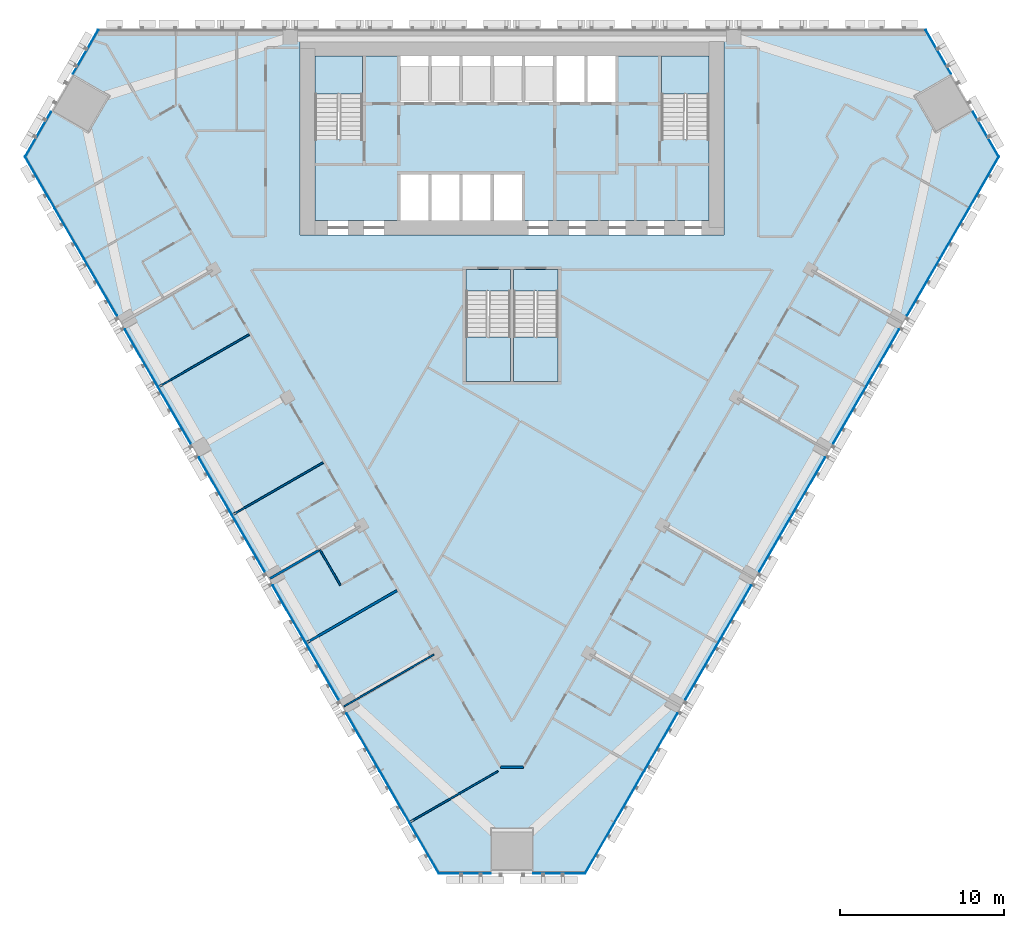
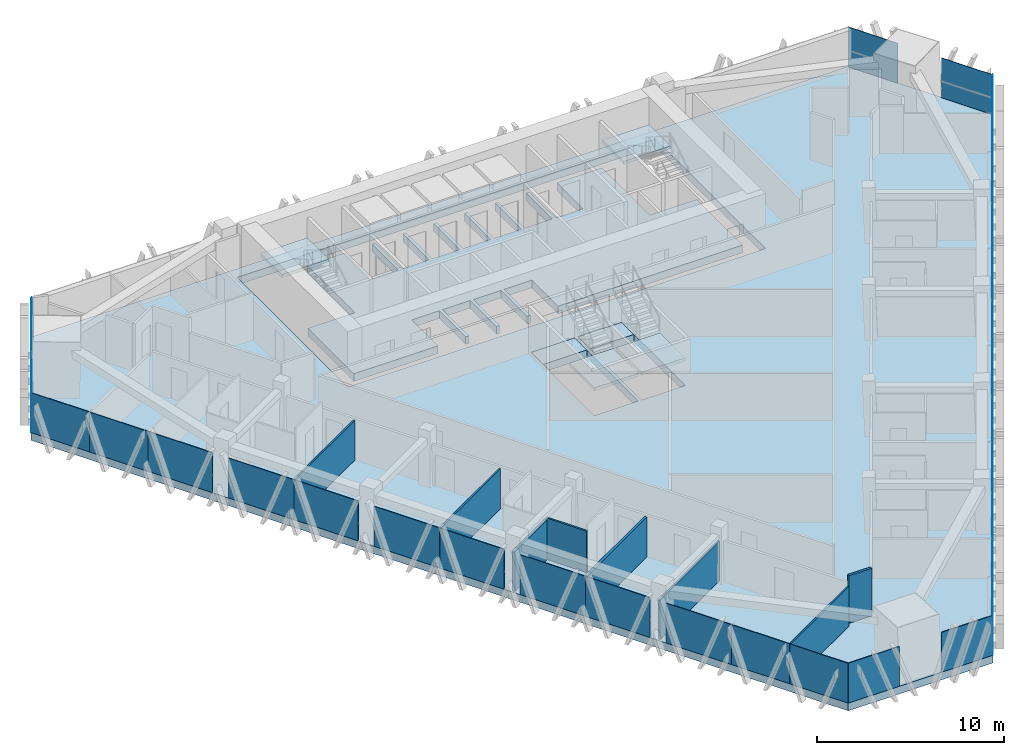
# One storey, part 8 of 16: 30 plates, 8 slabs, 8 walls, 9 elements without a shape of their own.
"""IFC4 building model written with IfcOpenShell, lengths in metres."""

from ifc_helpers import new_model, si_unit, direction, frame, frame_2d, origin, origin_2d, place, context, subcontext, project, spatial, polyline, rectangle, outline, extrude, material, layer, layer_set, type_object, element, aggregate, save


model = new_model("IFC4")

# Units and contexts
model_context = context("Model", 3, precision=1e-05, world=origin(), true_north=direction((0.0, 1.0)))
body_context = subcontext(model_context, "Body", "Model", "MODEL_VIEW")
ifc_project = project(units=[si_unit("LENGTHUNIT", "METRE"), si_unit("AREAUNIT", "SQUARE_METRE"), si_unit("VOLUMEUNIT", "CUBIC_METRE"), si_unit("PLANEANGLEUNIT", "RADIAN"), si_unit("MASSUNIT", "GRAM", prefix="KILO")], contexts=[model_context])

# Site, building, storey
site_placement = place(None, origin())
site = spatial("IfcSite", under=ifc_project, at=site_placement, CompositionType="ELEMENT")
building_placement = place(site_placement, origin())
building = spatial("IfcBuilding", under=site, at=building_placement, Name="Altiplano Prism Tower", CompositionType="ELEMENT")
storey_placement = place(building_placement, frame((0.0, 0.0, 77.39990234375)))
storey = spatial("IfcBuildingStorey", under=building, at=storey_placement, Name="L19", CompositionType="ELEMENT", Elevation=77.39990234375)

# Curtain wall, plates
ifc_material_1 = material(Name="Aluminium and glass", Category="aluminium")
ifc_layer_1 = layer(ifc_material_1, 0.280029296875)
ifc_layer_set_1 = layer_set([ifc_layer_1], Name="Aluminium and glass")
curtain_wall_type = type_object("IfcCurtainWallType", Name="CW1 typical co-living unitised curtain wall", PredefinedType="NOTDEFINED", material=ifc_layer_set_1)
curtain_wall_1_placement = place(storey_placement, origin())
curtain_wall_1 = element("IfcCurtainWall", 1, at=curtain_wall_1_placement, inside=storey, type_object=curtain_wall_type, Name="CW1 curtain wall north-west chamfer L19", PredefinedType="NOTDEFINED")
ifc_material_2 = material(Name="Clear glass", Category="glass")
ifc_layer_2 = layer(ifc_material_2, 0.0400390625)
ifc_layer_set_2 = layer_set([ifc_layer_2], Name="Clear glass")
plate_type = type_object("IfcPlateType", Name="CW1 insulated glass unit 40", PredefinedType="CURTAIN_PANEL", material=ifc_layer_set_2)
plate_1_placement = place(storey_placement, frame((59.0361328125, 103.65576171875, 0.0), z_axis=(0.0, 0.0, 1.0), x_axis=(-0.500000018591, -0.866025393051, 0.0)))
plate_1 = element("IfcPlate", 2, at=plate_1_placement, type_object=plate_type, Name="CW1 panel", PredefinedType="CURTAIN_PANEL", context=body_context, shape_type="SweptSolid", body=[
    extrude(rectangle(XDim=3.0712890625, YDim=0.0400390625, at=origin_2d()), origin(), (0.0, 0.0, 1.0), 2.60009765625),
])
plate_2_placement = place(storey_placement, frame((56.135498046875, 98.6318359375, 0.0), z_axis=(0.0, 0.0, 1.0), x_axis=(-0.500000018591, -0.866025393051, 0.0)))
plate_2 = element("IfcPlate", 3, at=plate_2_placement, type_object=plate_type, Name="CW1 panel", PredefinedType="CURTAIN_PANEL", context=body_context, shape_type="SweptSolid", body=[
    extrude(rectangle(XDim=3.151123046875, YDim=0.0400390625, at=origin_2d()), origin(), (0.0, 0.0, 1.0), 2.60009765625),
])
aggregate(curtain_wall_1, [plate_1, plate_2])

curtain_wall_2_placement = place(storey_placement, origin())
curtain_wall_2 = element("IfcCurtainWall", 4, at=curtain_wall_2_placement, inside=storey, type_object=curtain_wall_type, Name="CW1 curtain wall south-west face L19", PredefinedType="NOTDEFINED")
plate_3_placement = place(storey_placement, frame((56.24658203125, 95.7216796875, 0.0), z_axis=(0.0, 0.0, 1.0), x_axis=(0.500000004489, -0.866025401193, 0.0)))
plate_3 = element("IfcPlate", 5, at=plate_3_placement, type_object=plate_type, Name="CW1 panel", PredefinedType="CURTAIN_PANEL", context=body_context, shape_type="SweptSolid", body=[
    extrude(rectangle(XDim=3.595458984375, YDim=0.0400390625, at=origin_2d()), origin(), (0.0, 0.0, 1.0), 2.60009765625),
])
plate_4_placement = place(storey_placement, frame((58.04931640625, 92.599365234375, 0.0), z_axis=(0.0, 0.0, 1.0), x_axis=(0.500000004489, -0.866025401193, 0.0)))
plate_4 = element("IfcPlate", 6, at=plate_4_placement, type_object=plate_type, Name="CW1 panel", PredefinedType="CURTAIN_PANEL", context=body_context, shape_type="SweptSolid", body=[
    extrude(rectangle(XDim=3.595458984375, YDim=0.0400390625, at=origin_2d()), origin(), (0.0, 0.0, 1.0), 2.60009765625),
])
plate_5_placement = place(storey_placement, frame((59.943359375, 89.31884765625, 0.0), z_axis=(0.0, 0.0, 1.0), x_axis=(0.500000004489, -0.866025401193, 0.0)))
plate_5 = element("IfcPlate", 7, at=plate_5_placement, type_object=plate_type, Name="CW1 panel", PredefinedType="CURTAIN_PANEL", context=body_context, shape_type="SweptSolid", body=[
    extrude(rectangle(XDim=3.96044921875, YDim=0.0400390625, at=origin_2d()), origin(), (0.0, 0.0, 1.0), 2.60009765625),
])
plate_6_placement = place(storey_placement, frame((62.438232421875, 84.997314453125, 0.0), z_axis=(0.0, 0.0, 1.0), x_axis=(0.500000004489, -0.866025401193, 0.0)))
plate_6 = element("IfcPlate", 8, at=plate_6_placement, type_object=plate_type, Name="CW1 panel", PredefinedType="CURTAIN_PANEL", context=body_context, shape_type="SweptSolid", body=[
    extrude(rectangle(XDim=4.039306640625, YDim=0.0400390625, at=origin_2d()), origin(), (0.0, 0.0, 1.0), 2.60009765625),
])
plate_7_placement = place(storey_placement, frame((64.443359375, 81.524658203125, 0.0), z_axis=(0.0, 0.0, 1.0), x_axis=(0.500000004489, -0.866025401193, 0.0)))
plate_7 = element("IfcPlate", 9, at=plate_7_placement, type_object=plate_type, Name="CW1 panel", PredefinedType="CURTAIN_PANEL", context=body_context, shape_type="SweptSolid", body=[
    extrude(rectangle(XDim=3.96044921875, YDim=0.0400390625, at=origin_2d()), origin(), (0.0, 0.0, 1.0), 2.60009765625),
])
plate_8_placement = place(storey_placement, frame((66.938232421875, 77.203125, 0.0), z_axis=(0.0, 0.0, 1.0), x_axis=(0.500000004489, -0.866025401193, 0.0)))
plate_8 = element("IfcPlate", 10, at=plate_8_placement, type_object=plate_type, Name="CW1 panel", PredefinedType="CURTAIN_PANEL", context=body_context, shape_type="SweptSolid", body=[
    extrude(rectangle(XDim=4.039306640625, YDim=0.0400390625, at=origin_2d()), origin(), (0.0, 0.0, 1.0), 2.60009765625),
])
plate_9_placement = place(storey_placement, frame((68.943359375, 73.73046875, 0.0), z_axis=(0.0, 0.0, 1.0), x_axis=(0.500000004489, -0.866025401193, 0.0)))
plate_9 = element("IfcPlate", 11, at=plate_9_placement, type_object=plate_type, Name="CW1 panel", PredefinedType="CURTAIN_PANEL", context=body_context, shape_type="SweptSolid", body=[
    extrude(rectangle(XDim=3.96044921875, YDim=0.0400390625, at=origin_2d()), origin(), (0.0, 0.0, 1.0), 2.60009765625),
])
plate_10_placement = place(storey_placement, frame((71.438232421875, 69.408935546875, 0.0), z_axis=(0.0, 0.0, 1.0), x_axis=(0.500000004489, -0.866025401193, 0.0)))
plate_10 = element("IfcPlate", 12, at=plate_10_placement, type_object=plate_type, Name="CW1 panel", PredefinedType="CURTAIN_PANEL", context=body_context, shape_type="SweptSolid", body=[
    extrude(rectangle(XDim=4.039306640625, YDim=0.0400390625, at=origin_2d()), origin(), (0.0, 0.0, 1.0), 2.60009765625),
])
plate_11_placement = place(storey_placement, frame((73.443359375, 65.93603515625, 0.0), z_axis=(0.0, 0.0, 1.0), x_axis=(0.500000004489, -0.866025401193, 0.0)))
plate_11 = element("IfcPlate", 13, at=plate_11_placement, type_object=plate_type, Name="CW1 panel", PredefinedType="CURTAIN_PANEL", context=body_context, shape_type="SweptSolid", body=[
    extrude(rectangle(XDim=3.96044921875, YDim=0.0400390625, at=origin_2d()), origin(), (0.0, 0.0, 1.0), 2.60009765625),
])
plate_12_placement = place(storey_placement, frame((75.938232421875, 61.614501953125, 0.0), z_axis=(0.0, 0.0, 1.0), x_axis=(0.500000004489, -0.866025401193, 0.0)))
plate_12 = element("IfcPlate", 14, at=plate_12_placement, type_object=plate_type, Name="CW1 panel", PredefinedType="CURTAIN_PANEL", context=body_context, shape_type="SweptSolid", body=[
    extrude(rectangle(XDim=4.039306640625, YDim=0.0400390625, at=origin_2d()), origin(), (0.0, 0.0, 1.0), 2.60009765625),
])
plate_13_placement = place(storey_placement, frame((77.85205078125, 58.300048828125, 0.0), z_axis=(0.0, 0.0, 1.0), x_axis=(0.500000004489, -0.866025401193, 0.0)))
plate_13 = element("IfcPlate", 15, at=plate_13_placement, type_object=plate_type, Name="CW1 panel", PredefinedType="CURTAIN_PANEL", context=body_context, shape_type="SweptSolid", body=[
    extrude(rectangle(XDim=3.595458984375, YDim=0.0400390625, at=origin_2d()), origin(), (0.0, 0.0, 1.0), 2.60009765625),
])
plate_14_placement = place(storey_placement, frame((79.65478515625, 55.177490234375, 0.0), z_axis=(0.0, 0.0, 1.0), x_axis=(0.500000004489, -0.866025401193, 0.0)))
plate_14 = element("IfcPlate", 16, at=plate_14_placement, type_object=plate_type, Name="CW1 panel", PredefinedType="CURTAIN_PANEL", context=body_context, shape_type="SweptSolid", body=[
    extrude(rectangle(XDim=3.595458984375, YDim=0.0400390625, at=origin_2d()), origin(), (0.0, 0.0, 1.0), 2.60009765625),
])
aggregate(curtain_wall_2, [plate_3, plate_4, plate_5, plate_6, plate_7, plate_8, plate_9, plate_10, plate_11, plate_12, plate_13, plate_14])

curtain_wall_3_placement = place(storey_placement, origin())
curtain_wall_3 = element("IfcCurtainWall", 17, at=curtain_wall_3_placement, inside=storey, type_object=curtain_wall_type, Name="CW1 curtain wall south chamfer L19", PredefinedType="NOTDEFINED")
plate_15_placement = place(storey_placement, frame((82.119384765625, 53.626220703125, 0.0), z_axis=(0.0, 0.0, 1.0), x_axis=(1.0, 0.0, 0.0)))
plate_15 = element("IfcPlate", 18, at=plate_15_placement, type_object=plate_type, Name="CW1 panel", PredefinedType="CURTAIN_PANEL", context=body_context, shape_type="SweptSolid", body=[
    extrude(rectangle(XDim=3.151123046875, YDim=0.0400390625, at=origin_2d()), origin(), (0.0, 0.0, 1.0), 2.60009765625),
])
plate_16_placement = place(storey_placement, frame((87.880615234375, 53.626220703125, 0.0), z_axis=(0.0, 0.0, 1.0), x_axis=(1.0, 0.0, 0.0)))
plate_16 = element("IfcPlate", 19, at=plate_16_placement, type_object=plate_type, Name="CW1 panel", PredefinedType="CURTAIN_PANEL", context=body_context, shape_type="SweptSolid", body=[
    extrude(rectangle(XDim=3.151123046875, YDim=0.0400390625, at=origin_2d()), origin(), (0.0, 0.0, 1.0), 2.60009765625),
])
aggregate(curtain_wall_3, [plate_15, plate_16])

curtain_wall_4_placement = place(storey_placement, origin())
curtain_wall_4 = element("IfcCurtainWall", 20, at=curtain_wall_4_placement, inside=storey, type_object=curtain_wall_type, Name="CW1 curtain wall south-east face L19", PredefinedType="NOTDEFINED")
plate_17_placement = place(storey_placement, frame((90.34521484375, 55.177490234375, 0.0), z_axis=(0.0, 0.0, 1.0), x_axis=(0.500000004489, 0.866025401193, 0.0)))
plate_17 = element("IfcPlate", 21, at=plate_17_placement, type_object=plate_type, Name="CW1 panel", PredefinedType="CURTAIN_PANEL", context=body_context, shape_type="SweptSolid", body=[
    extrude(rectangle(XDim=3.595458984375, YDim=0.0400390625, at=origin_2d()), origin(), (0.0, 0.0, 1.0), 2.60009765625),
])
plate_18_placement = place(storey_placement, frame((92.14794921875, 58.300048828125, 0.0), z_axis=(0.0, 0.0, 1.0), x_axis=(0.500000004489, 0.866025401193, 0.0)))
plate_18 = element("IfcPlate", 22, at=plate_18_placement, type_object=plate_type, Name="CW1 panel", PredefinedType="CURTAIN_PANEL", context=body_context, shape_type="SweptSolid", body=[
    extrude(rectangle(XDim=3.595458984375, YDim=0.0400390625, at=origin_2d()), origin(), (0.0, 0.0, 1.0), 2.60009765625),
])
plate_19_placement = place(storey_placement, frame((94.061767578125, 61.614501953125, 0.0), z_axis=(0.0, 0.0, 1.0), x_axis=(0.500000004489, 0.866025401193, 0.0)))
plate_19 = element("IfcPlate", 23, at=plate_19_placement, type_object=plate_type, Name="CW1 panel", PredefinedType="CURTAIN_PANEL", context=body_context, shape_type="SweptSolid", body=[
    extrude(rectangle(XDim=4.039306640625, YDim=0.0400390625, at=origin_2d()), origin(), (0.0, 0.0, 1.0), 2.60009765625),
])
plate_20_placement = place(storey_placement, frame((96.556640625, 65.93603515625, 0.0), z_axis=(0.0, 0.0, 1.0), x_axis=(0.500000004489, 0.866025401193, 0.0)))
plate_20 = element("IfcPlate", 24, at=plate_20_placement, type_object=plate_type, Name="CW1 panel", PredefinedType="CURTAIN_PANEL", context=body_context, shape_type="SweptSolid", body=[
    extrude(rectangle(XDim=3.96044921875, YDim=0.0400390625, at=origin_2d()), origin(), (0.0, 0.0, 1.0), 2.60009765625),
])
plate_21_placement = place(storey_placement, frame((98.561767578125, 69.408935546875, 0.0), z_axis=(0.0, 0.0, 1.0), x_axis=(0.500000004489, 0.866025401193, 0.0)))
plate_21 = element("IfcPlate", 25, at=plate_21_placement, type_object=plate_type, Name="CW1 panel", PredefinedType="CURTAIN_PANEL", context=body_context, shape_type="SweptSolid", body=[
    extrude(rectangle(XDim=4.039306640625, YDim=0.0400390625, at=origin_2d()), origin(), (0.0, 0.0, 1.0), 2.60009765625),
])
plate_22_placement = place(storey_placement, frame((101.056640625, 73.73046875, 0.0), z_axis=(0.0, 0.0, 1.0), x_axis=(0.500000004489, 0.866025401193, 0.0)))
plate_22 = element("IfcPlate", 26, at=plate_22_placement, type_object=plate_type, Name="CW1 panel", PredefinedType="CURTAIN_PANEL", context=body_context, shape_type="SweptSolid", body=[
    extrude(rectangle(XDim=3.96044921875, YDim=0.0400390625, at=origin_2d()), origin(), (0.0, 0.0, 1.0), 2.60009765625),
])
plate_23_placement = place(storey_placement, frame((103.061767578125, 77.203125, 0.0), z_axis=(0.0, 0.0, 1.0), x_axis=(0.500000004489, 0.866025401193, 0.0)))
plate_23 = element("IfcPlate", 27, at=plate_23_placement, type_object=plate_type, Name="CW1 panel", PredefinedType="CURTAIN_PANEL", context=body_context, shape_type="SweptSolid", body=[
    extrude(rectangle(XDim=4.039306640625, YDim=0.0400390625, at=origin_2d()), origin(), (0.0, 0.0, 1.0), 2.60009765625),
])
plate_24_placement = place(storey_placement, frame((105.556640625, 81.524658203125, 0.0), z_axis=(0.0, 0.0, 1.0), x_axis=(0.500000004489, 0.866025401193, 0.0)))
plate_24 = element("IfcPlate", 28, at=plate_24_placement, type_object=plate_type, Name="CW1 panel", PredefinedType="CURTAIN_PANEL", context=body_context, shape_type="SweptSolid", body=[
    extrude(rectangle(XDim=3.96044921875, YDim=0.0400390625, at=origin_2d()), origin(), (0.0, 0.0, 1.0), 2.60009765625),
])
plate_25_placement = place(storey_placement, frame((107.561767578125, 84.997314453125, 0.0), z_axis=(0.0, 0.0, 1.0), x_axis=(0.500000004489, 0.866025401193, 0.0)))
plate_25 = element("IfcPlate", 29, at=plate_25_placement, type_object=plate_type, Name="CW1 panel", PredefinedType="CURTAIN_PANEL", context=body_context, shape_type="SweptSolid", body=[
    extrude(rectangle(XDim=4.039306640625, YDim=0.0400390625, at=origin_2d()), origin(), (0.0, 0.0, 1.0), 2.60009765625),
])
plate_26_placement = place(storey_placement, frame((110.056640625, 89.31884765625, 0.0), z_axis=(0.0, 0.0, 1.0), x_axis=(0.500000004489, 0.866025401193, 0.0)))
plate_26 = element("IfcPlate", 30, at=plate_26_placement, type_object=plate_type, Name="CW1 panel", PredefinedType="CURTAIN_PANEL", context=body_context, shape_type="SweptSolid", body=[
    extrude(rectangle(XDim=3.96044921875, YDim=0.0400390625, at=origin_2d()), origin(), (0.0, 0.0, 1.0), 2.60009765625),
])
plate_27_placement = place(storey_placement, frame((111.95068359375, 92.599365234375, 0.0), z_axis=(0.0, 0.0, 1.0), x_axis=(0.500000004489, 0.866025401193, 0.0)))
plate_27 = element("IfcPlate", 31, at=plate_27_placement, type_object=plate_type, Name="CW1 panel", PredefinedType="CURTAIN_PANEL", context=body_context, shape_type="SweptSolid", body=[
    extrude(rectangle(XDim=3.595458984375, YDim=0.0400390625, at=origin_2d()), origin(), (0.0, 0.0, 1.0), 2.60009765625),
])
plate_28_placement = place(storey_placement, frame((113.75341796875, 95.7216796875, 0.0), z_axis=(0.0, 0.0, 1.0), x_axis=(0.500000004489, 0.866025401193, 0.0)))
plate_28 = element("IfcPlate", 32, at=plate_28_placement, type_object=plate_type, Name="CW1 panel", PredefinedType="CURTAIN_PANEL", context=body_context, shape_type="SweptSolid", body=[
    extrude(rectangle(XDim=3.595458984375, YDim=0.0400390625, at=origin_2d()), origin(), (0.0, 0.0, 1.0), 2.60009765625),
])
aggregate(curtain_wall_4, [plate_17, plate_18, plate_19, plate_20, plate_21, plate_22, plate_23, plate_24, plate_25, plate_26, plate_27, plate_28])

curtain_wall_5_placement = place(storey_placement, origin())
curtain_wall_5 = element("IfcCurtainWall", 33, at=curtain_wall_5_placement, inside=storey, type_object=curtain_wall_type, Name="CW1 curtain wall north-east chamfer L19", PredefinedType="NOTDEFINED")
plate_29_placement = place(storey_placement, frame((113.864501953125, 98.6318359375, 0.0), z_axis=(0.0, 0.0, 1.0), x_axis=(-0.500000018591, 0.866025393051, 0.0)))
plate_29 = element("IfcPlate", 34, at=plate_29_placement, type_object=plate_type, Name="CW1 panel", PredefinedType="CURTAIN_PANEL", context=body_context, shape_type="SweptSolid", body=[
    extrude(rectangle(XDim=3.151123046875, YDim=0.0400390625, at=origin_2d()), origin(), (0.0, 0.0, 1.0), 2.60009765625),
])
plate_30_placement = place(storey_placement, frame((110.9638671875, 103.65576171875, 0.0), z_axis=(0.0, 0.0, 1.0), x_axis=(-0.500000018591, 0.866025393051, 0.0)))
plate_30 = element("IfcPlate", 35, at=plate_30_placement, type_object=plate_type, Name="CW1 panel", PredefinedType="CURTAIN_PANEL", context=body_context, shape_type="SweptSolid", body=[
    extrude(rectangle(XDim=3.0712890625, YDim=0.0400390625, at=origin_2d()), origin(), (0.0, 0.0, 1.0), 2.60009765625),
])
aggregate(curtain_wall_5, [plate_29, plate_30])

# Slabs
ifc_material_3 = material(Name="Concrete C40/50", Category="concrete")
ifc_layer_3 = layer(ifc_material_3, 0.5)
ifc_layer_set_3 = layer_set([ifc_layer_3], Name="Concrete C40/50")
slab_type_1 = type_object("IfcSlabType", Name="Core floor slab 500", PredefinedType="FLOOR", material=ifc_layer_set_3)
slab_1_placement = place(storey_placement, frame((0.0, 0.0, -0.5)))
element("IfcSlab", 36, at=slab_1_placement, inside=storey, type_object=slab_type_1, Name="Core floor slab L19", PredefinedType="FLOOR", context=body_context, shape_type="SweptSolid", body=[
    extrude(outline(polyline([(97.0, 98.31005859375), (94.10009765625, 98.31005859375), (94.10009765625, 103.39990234375), (91.300048828125, 103.39990234375), (91.300048828125, 100.60009765625), (89.60009765625, 100.60009765625), (89.60009765625, 103.39990234375), (89.39990234375, 103.39990234375), (89.39990234375, 100.60009765625), (87.699951171875, 100.60009765625), (87.699951171875, 103.39990234375), (87.5, 103.39990234375), (87.5, 100.60009765625), (85.800048828125, 100.60009765625), (85.800048828125, 103.39990234375), (85.60009765625, 103.39990234375), (85.60009765625, 100.60009765625), (83.89990234375, 100.60009765625), (83.89990234375, 103.39990234375), (83.699951171875, 103.39990234375), (83.699951171875, 100.60009765625), (82.0, 100.60009765625), (82.0, 103.39990234375), (81.800048828125, 103.39990234375), (81.800048828125, 100.60009765625), (80.10009765625, 100.60009765625), (80.10009765625, 103.39990234375), (79.89990234375, 103.39990234375), (79.89990234375, 100.60009765625), (78.199951171875, 100.60009765625), (78.199951171875, 103.39990234375), (75.89990234375, 103.39990234375), (75.89990234375, 98.31005859375), (73.0, 98.31005859375), (73.0, 93.39990234375), (78.199951171875, 93.39990234375), (78.199951171875, 96.199951171875), (79.89990234375, 96.199951171875), (79.89990234375, 93.39990234375), (80.10009765625, 93.39990234375), (80.10009765625, 96.199951171875), (81.800048828125, 96.199951171875), (81.800048828125, 93.39990234375), (82.0, 93.39990234375), (82.0, 96.199951171875), (83.699951171875, 96.199951171875), (83.699951171875, 93.39990234375), (83.89990234375, 93.39990234375), (83.89990234375, 96.199951171875), (85.60009765625, 96.199951171875), (85.60009765625, 93.39990234375), (97.0, 93.39990234375), (97.0, 98.31005859375)])), origin(), (0.0, 0.0, 1.0), 0.5),
])
slab_2_placement = place(storey_placement, frame((0.0, 0.0, -0.5)))
element("IfcSlab", 37, at=slab_2_placement, inside=storey, type_object=slab_type_1, Name="Stair 3A landing slab L19", PredefinedType="FLOOR", context=body_context, shape_type="SweptSolid", body=[
    extrude(outline(polyline([(82.199951171875, 89.096923828125), (84.89990234375, 89.096923828125), (84.89990234375, 90.39990234375), (82.199951171875, 90.39990234375), (82.199951171875, 89.096923828125)])), origin(), (0.0, 0.0, 1.0), 0.5),
])
slab_3_placement = place(storey_placement, frame((0.0, 0.0, -0.5)))
element("IfcSlab", 38, at=slab_3_placement, inside=storey, type_object=slab_type_1, Name="Stair 3B landing slab L19", PredefinedType="FLOOR", context=body_context, shape_type="SweptSolid", body=[
    extrude(outline(polyline([(85.10009765625, 89.096923828125), (87.800048828125, 89.096923828125), (87.800048828125, 90.39990234375), (85.10009765625, 90.39990234375), (85.10009765625, 89.096923828125)])), origin(), (0.0, 0.0, 1.0), 0.5),
])
ifc_layer_4 = layer(ifc_material_3, 0.5)
ifc_layer_set_4 = layer_set([ifc_layer_4], Name="Concrete C40/50")
slab_type_2 = type_object("IfcSlabType", Name="Post-tensioned flat slab 500", PredefinedType="FLOOR", material=ifc_layer_set_4)
slab_4_placement = place(storey_placement, frame((0.0, 0.0, -0.5)))
element("IfcSlab", 39, at=slab_4_placement, inside=storey, type_object=slab_type_2, Name="Floor slab L19", PredefinedType="FLOOR", context=body_context, shape_type="SweptSolid", body=[
    extrude(outline(polyline([(80.538818359375, 53.6064453125), (55.327880859375, 97.27294921875), (59.7890625, 105.0), (110.2109375, 105.0), (114.672119140625, 97.27294921875), (89.461181640625, 53.6064453125), (80.538818359375, 53.6064453125)]), holes=[polyline([(72.10009765625, 104.300048828125), (72.10009765625, 92.5), (97.89990234375, 92.5), (97.89990234375, 104.300048828125), (72.10009765625, 104.300048828125)]), polyline([(84.89990234375, 90.39990234375), (82.199951171875, 90.39990234375), (82.199951171875, 83.60009765625), (84.89990234375, 83.60009765625), (84.89990234375, 90.39990234375)]), polyline([(87.800048828125, 83.60009765625), (87.800048828125, 90.39990234375), (85.10009765625, 90.39990234375), (85.10009765625, 83.60009765625), (87.800048828125, 83.60009765625)])]), origin(), (0.0, 0.0, 1.0), 0.5),
])

# Stair, slab
stair_type_1 = type_object("IfcStairType", Name="Exit stair 1400", PredefinedType="HALF_TURN_STAIR", material=ifc_material_3)
stair_1_placement = place(storey_placement, origin())
stair_1 = element("IfcStair", 40, at=stair_1_placement, inside=storey, type_object=stair_type_1, Name="L19 Exit Stair 1", PredefinedType="HALF_TURN_STAIR")
ifc_layer_5 = layer(ifc_material_3, 0.199951171875)
ifc_layer_set_5 = layer_set([ifc_layer_5], Name="Concrete C40/50")
slab_type_3 = type_object("IfcSlabType", Name="Stair landing 200", PredefinedType="LANDING", material=ifc_layer_set_5)
slab_5_placement = place(storey_placement, frame((0.0, 0.0, 1.60009765625)))
slab_5 = element("IfcSlab", 41, at=slab_5_placement, type_object=slab_type_3, Name="ST1 landing 1", PredefinedType="LANDING", context=body_context, shape_type="SweptSolid", body=[
    extrude(outline(polyline([(75.89990234375, 101.096923828125), (75.89990234375, 103.39990234375), (73.0, 103.39990234375), (73.0, 101.096923828125), (75.89990234375, 101.096923828125)])), origin(), (0.0, 0.0, 1.0), 0.199951171875),
])
aggregate(stair_1, [slab_5])

stair_2_placement = place(storey_placement, origin())
stair_2 = element("IfcStair", 42, at=stair_2_placement, inside=storey, type_object=stair_type_1, Name="L19 Exit Stair 2", PredefinedType="HALF_TURN_STAIR")
slab_6_placement = place(storey_placement, frame((0.0, 0.0, 1.60009765625)))
slab_6 = element("IfcSlab", 43, at=slab_6_placement, type_object=slab_type_3, Name="ST2 landing 1", PredefinedType="LANDING", context=body_context, shape_type="SweptSolid", body=[
    extrude(outline(polyline([(97.0, 101.096923828125), (97.0, 103.39990234375), (94.10009765625, 103.39990234375), (94.10009765625, 101.096923828125), (97.0, 101.096923828125)])), origin(), (0.0, 0.0, 1.0), 0.199951171875),
])
aggregate(stair_2, [slab_6])

stair_type_2 = type_object("IfcStairType", Name="Exit stair 1300", PredefinedType="HALF_TURN_STAIR", material=ifc_material_3)
stair_3_placement = place(storey_placement, origin())
stair_3 = element("IfcStair", 44, at=stair_3_placement, inside=storey, type_object=stair_type_2, Name="L19 Exit Stair 3A", PredefinedType="HALF_TURN_STAIR")
slab_7_placement = place(storey_placement, frame((0.0, 0.0, 1.60009765625)))
slab_7 = element("IfcSlab", 45, at=slab_7_placement, type_object=slab_type_3, Name="ST3A landing 1", PredefinedType="LANDING", context=body_context, shape_type="SweptSolid", body=[
    extrude(outline(polyline([(82.199951171875, 86.302978515625), (82.199951171875, 83.60009765625), (84.89990234375, 83.60009765625), (84.89990234375, 86.302978515625), (82.199951171875, 86.302978515625)])), origin(), (0.0, 0.0, 1.0), 0.199951171875),
])
aggregate(stair_3, [slab_7])

stair_4_placement = place(storey_placement, origin())
stair_4 = element("IfcStair", 46, at=stair_4_placement, inside=storey, type_object=stair_type_2, Name="L19 Exit Stair 3B", PredefinedType="HALF_TURN_STAIR")
slab_8_placement = place(storey_placement, frame((0.0, 0.0, 1.60009765625)))
slab_8 = element("IfcSlab", 47, at=slab_8_placement, type_object=slab_type_3, Name="ST3B landing 1", PredefinedType="LANDING", context=body_context, shape_type="SweptSolid", body=[
    extrude(outline(polyline([(85.10009765625, 86.302978515625), (85.10009765625, 83.60009765625), (87.800048828125, 83.60009765625), (87.800048828125, 86.302978515625), (85.10009765625, 86.302978515625)])), origin(), (0.0, 0.0, 1.0), 0.199951171875),
])
aggregate(stair_4, [slab_8])

# Walls
ifc_material_4 = material(Name="Plasterboard on steel stud", Category="steel")
ifc_layer_6 = layer(ifc_material_4, 0.10009765625)
ifc_layer_set_6 = layer_set([ifc_layer_6], Name="Plasterboard on steel stud")
wall_type_1 = type_object("IfcWallType", Name="Partition 100 unit", PredefinedType="PARTITIONING", material=ifc_layer_set_6)
wall_1_placement = place(storey_placement, frame((74.551025390625, 71.177490234375, 0.0), z_axis=(0.0, 0.0, 1.0), x_axis=(-0.500004234368, 0.866022959057, 0.0)))
element("IfcWall", 48, at=wall_1_placement, inside=storey, type_object=wall_type_1, Name="Partition P02 L19 053", PredefinedType="PARTITIONING", context=body_context, shape_type="SweptSolid", body=[
    extrude(rectangle(XDim=2.5, YDim=0.10009765625, at=frame_2d((1.25, 0.0))), origin(), (0.0, 0.0, 1.0), 2.7001953125),
])
ifc_layer_7 = layer(ifc_material_4, 0.10009765625)
ifc_layer_set_7 = layer_set([ifc_layer_7], Name="Plasterboard on steel stud")
wall_type_2 = type_object("IfcWallType", Name="Partition 100 wet", PredefinedType="PARTITIONING", material=ifc_layer_set_7)
for number, where, z_axis, x_axis, name in (
    (49, (63.50244140625, 83.273681640625, 0.0), (0.0, 0.0, 1.0), (0.866025401434, 0.500000004071, 0.0), "Partition P03 L19 046"),
    (50, (68.00244140625, 75.4794921875, 0.0), (0.0, 0.0, 1.0), (0.866025401434, 0.500000004071, 0.0), "Partition P03 L19 047"),
):
    element("IfcWall", number, at=place(storey_placement, frame(where, z_axis=z_axis, x_axis=x_axis)), inside=storey, type_object=wall_type_2, Name=name, PredefinedType="PARTITIONING", context=body_context, shape_type="SweptSolid", body=[
        extrude(rectangle(XDim=6.34521484375, YDim=0.10009765625, at=frame_2d((3.172607421875, 0.0))), origin(), (0.0, 0.0, 1.0), 2.60009765625),
    ])
wall_2_placement = place(storey_placement, frame((74.77001953125, 63.79833984375, 0.0), z_axis=(0.0, 0.0, 1.0), x_axis=(0.866032601554, 0.49998753289, 0.0)))
element("IfcWall", 51, at=wall_2_placement, inside=storey, type_object=wall_type_2, Name="Partition P03 L19 055", PredefinedType="PARTITIONING", context=body_context, shape_type="SweptSolid", body=[
    extrude(rectangle(XDim=6.324951171875, YDim=0.10009765625, at=frame_2d((3.16259765625, 0.0))), origin(), (0.0, 0.0, 1.0), 2.60009765625),
])
wall_3_placement = place(storey_placement, frame((78.80517578125, 56.7685546875, 0.0), z_axis=(0.0, 0.0, 1.0), x_axis=(0.866009508483, 0.500027530459, 0.0)))
element("IfcWall", 52, at=wall_3_placement, inside=storey, type_object=wall_type_2, Name="Partition P03 L19 056", PredefinedType="PARTITIONING", context=body_context, shape_type="SweptSolid", body=[
    extrude(rectangle(XDim=6.165283203125, YDim=0.10009765625, at=frame_2d((3.08251953125, 0.0))), origin(), (0.0, 0.0, 1.0), 2.60009765625),
])
ifc_layer_8 = layer(ifc_material_4, 0.14990234375)
ifc_layer_set_8 = layer_set([ifc_layer_8], Name="Plasterboard on steel stud")
wall_type_3 = type_object("IfcWallType", Name="Partition 150 corridor", PredefinedType="PARTITIONING", material=ifc_layer_set_8)
wall_4_placement = place(storey_placement, frame((84.29150390625, 60.1064453125, 0.0), z_axis=(0.0, 0.0, 1.0), x_axis=(1.0, 0.0, 0.0)))
element("IfcWall", 53, at=wall_4_placement, inside=storey, type_object=wall_type_3, Name="Partition P06 L19 011", PredefinedType="PARTITIONING", context=body_context, shape_type="SweptSolid", body=[
    extrude(rectangle(XDim=1.4169921875, YDim=0.14990234375, at=frame_2d((0.70849609375, 0.0))), origin(), (0.0, 0.0, 1.0), 3.10009765625),
])
ifc_layer_9 = layer(ifc_material_4, 0.14990234375)
ifc_layer_set_9 = layer_set([ifc_layer_9], Name="Plasterboard on steel stud")
wall_type_4 = type_object("IfcWallType", Name="Partition 150 party", PredefinedType="PARTITIONING", material=ifc_layer_set_9)
wall_5_placement = place(storey_placement, frame((70.27001953125, 71.592529296875, 0.0), z_axis=(0.0, 0.0, 1.0), x_axis=(0.866020337685, 0.500008774639, 0.0)))
element("IfcWall", 54, at=wall_5_placement, inside=storey, type_object=wall_type_4, Name="Partition P01 L19 050", PredefinedType="PARTITIONING", context=body_context, shape_type="SweptSolid", body=[
    extrude(rectangle(XDim=3.419921875, YDim=0.14990234375, at=frame_2d((1.7099609375, 0.0))), origin(), (0.0, 0.0, 1.0), 2.60009765625),
])
wall_6_placement = place(storey_placement, frame((72.50244140625, 67.685302734375, 0.0), z_axis=(0.0, 0.0, 1.0), x_axis=(0.866025401434, 0.500000004071, 0.0)))
element("IfcWall", 55, at=wall_6_placement, inside=storey, type_object=wall_type_4, Name="Partition P01 L19 054", PredefinedType="PARTITIONING", context=body_context, shape_type="SweptSolid", body=[
    extrude(rectangle(XDim=6.34521484375, YDim=0.14990234375, at=frame_2d((3.172607421875, 0.0))), origin(), (0.0, 0.0, 1.0), 2.60009765625),
])

save(model, "model.ifc")
